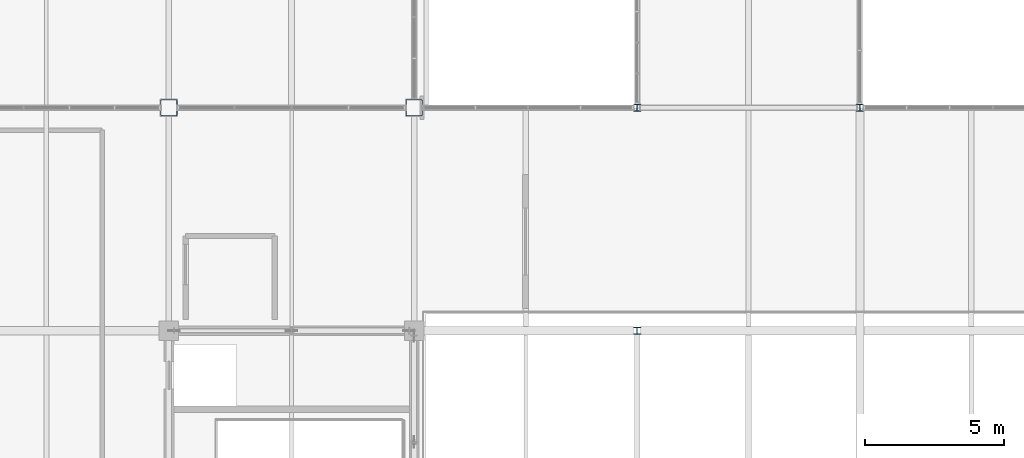
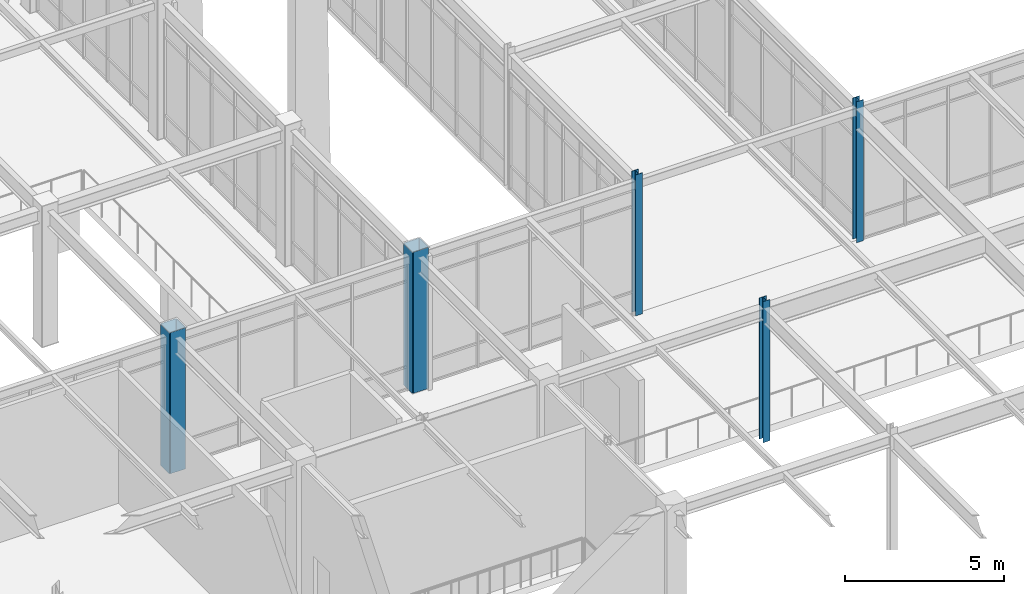
# One storey, part 4 of 184: 5 columns.
"""IFC4 building model written with IfcOpenShell, lengths in metres."""

import ifcopenshell
import ifcopenshell.guid

model = None  # the IFC model being written
_history = None  # IfcOwnerHistory: only IFC2X3 demands one
_inside = {}  # id of a spatial element -> (the spatial element, [elements in it])
_under = {}  # id of a project, library or spatial element -> (it, [spatial elements below it])
_declared = {}  # id of a project -> (the project, [libraries it declares])
_typed = {}  # id of a type object -> (the type object, [elements of that type])
_made_of = {}  # id of a material, layer set ... -> (it, [elements and type objects made of it])


def new_model(schema):
    """Start an empty IFC model of exactly this schema.

    Asked for "IFC4X3", IfcOpenShell would pick the latest addendum, in which some entities
    have other attributes; the version numbers below select the first issue.
    IFC2X3 requires an IfcOwnerHistory on every rooted entity: one is made here for all.
    """
    global model, _history
    if schema == "IFC4X3":
        model = ifcopenshell.file(schema_version=(4, 3, 0, 0))
    else:
        model = ifcopenshell.file(schema=schema)
    _inside.clear()
    _under.clear()
    _declared.clear()
    _typed.clear()
    _made_of.clear()
    _history = None
    if model.schema == "IFC2X3":
        org = make("IfcOrganization", Name="unknown")
        user = make(
            "IfcPersonAndOrganization",
            ThePerson=make("IfcPerson", FamilyName="unknown"),
            TheOrganization=org,
        )
        app = make(
            "IfcApplication",
            ApplicationDeveloper=org,
            Version="unknown",
            ApplicationFullName="unknown",
            ApplicationIdentifier="unknown",
        )
        _history = make(
            "IfcOwnerHistory",
            OwningUser=user,
            OwningApplication=app,
            ChangeAction="ADDED",
            CreationDate=0,
        )
    return model


def make(cls, **values):
    """One entity of the class cls with the attributes given. An attribute that is None is left unset."""
    return model.create_entity(
        cls, **{name: value for name, value in values.items() if value is not None}
    )


def rooted(cls, **values):
    """An entity with a GlobalId (a new one), such as an element, a storey or a relation."""
    return make(cls, GlobalId=ifcopenshell.guid.new(), OwnerHistory=_history, **values)


def si_unit(unit_type, name, prefix=None):
    """IfcSIUnit, for example si_unit("LENGTHUNIT", "METRE", prefix="MILLI")."""
    return make("IfcSIUnit", UnitType=unit_type, Prefix=prefix, Name=name)


def assignment(units):
    """IfcUnitAssignment: the units of a project."""
    return None if units is None else make("IfcUnitAssignment", Units=units)


def point(xyz):
    """IfcCartesianPoint."""
    return None if xyz is None else make("IfcCartesianPoint", Coordinates=xyz)


def direction(xyz):
    """IfcDirection."""
    return None if xyz is None else make("IfcDirection", DirectionRatios=xyz)


def frame(location, z_axis=None, x_axis=None):
    """IfcAxis2Placement3D, a coordinate frame: its origin and axes. An axis left out is left unset."""
    return make(
        "IfcAxis2Placement3D",
        Location=point(location),
        Axis=direction(z_axis),
        RefDirection=direction(x_axis),
    )


def frame_2d(location, x_axis=None):
    """IfcAxis2Placement2D, a coordinate frame in the plane: its origin and x axis."""
    return make(
        "IfcAxis2Placement2D", Location=point(location), RefDirection=direction(x_axis)
    )


def origin():
    """The frame at (0, 0, 0) with its axes left unset."""
    return frame((0.0, 0.0, 0.0))


def origin_2d():
    """The frame at (0, 0) in the plane with its x axis left unset."""
    return frame_2d((0.0, 0.0))


def place(relative_to, where):
    """IfcLocalPlacement: puts the frame where relative to a parent placement (None: the world)."""
    return make(
        "IfcLocalPlacement", PlacementRelTo=relative_to, RelativePlacement=where
    )


def context(
    kind, dimensions, precision=None, world=None, true_north=None, identifier=None
):
    """IfcGeometricRepresentationContext, for example the 3D "Model" context."""
    return make(
        "IfcGeometricRepresentationContext",
        ContextIdentifier=identifier,
        ContextType=kind,
        CoordinateSpaceDimension=dimensions,
        Precision=precision,
        WorldCoordinateSystem=world,
        TrueNorth=true_north,
    )


def subcontext(parent, identifier, kind, view, scale=None):
    """IfcGeometricRepresentationSubContext, for example "Body" below "Model"."""
    return make(
        "IfcGeometricRepresentationSubContext",
        ContextIdentifier=identifier,
        ContextType=kind,
        ParentContext=parent,
        TargetScale=scale,
        TargetView=view,
    )


def project(units=None, contexts=None):
    """IfcProject with its units and contexts."""
    return rooted(
        "IfcProject",
        Name="project",
        RepresentationContexts=contexts,
        UnitsInContext=assignment(units),
    )


def spatial(cls, under=None, at=None, **own):
    """A site, building, storey or space (cls), placed at a placement, below another one or the project."""
    s = rooted(cls, ObjectPlacement=at, **own)
    if under is not None:
        _under.setdefault(under.id(), (under, []))[1].append(s)
    return s


def profile(cls, at=None, kind="AREA", **sizes):
    """A parametric profile (cls). Its sizes go by their IFC names, for example OverallWidth=200.0."""
    return make(cls, ProfileType=kind, Position=at, **sizes)


def hollow_rectangle(**sizes):
    """IfcRectangleHollowProfileDef."""
    return profile("IfcRectangleHollowProfileDef", **sizes)


def i_section(**sizes):
    """IfcIShapeProfileDef."""
    return profile("IfcIShapeProfileDef", **sizes)


def extrude(swept, where, along, depth):
    """IfcExtrudedAreaSolid: the profile swept, set in the frame where, extruded along a direction by depth."""
    return make(
        "IfcExtrudedAreaSolid",
        SweptArea=swept,
        Position=where,
        ExtrudedDirection=direction(along),
        Depth=depth,
    )


def shape(context_of_items, identifier, shape_type, items):
    """IfcShapeRepresentation: the items that make up one representation, for example the "Body"."""
    return make(
        "IfcShapeRepresentation",
        ContextOfItems=context_of_items,
        RepresentationIdentifier=identifier,
        RepresentationType=shape_type,
        Items=items,
    )


def material(Name=None, Category=None):
    """IfcMaterial."""
    return make("IfcMaterial", Name=Name, Category=Category)


def material_profile(
    of_material, cross_section, Name=None, Category=None, Priority=None
):
    """IfcMaterialProfile: a cross section and its material."""
    return make(
        "IfcMaterialProfile",
        Name=Name,
        Material=of_material,
        Profile=cross_section,
        Priority=Priority,
        Category=Category,
    )


def profile_set(profiles, Name=None, composite=None):
    """IfcMaterialProfileSet."""
    return make(
        "IfcMaterialProfileSet",
        Name=Name,
        MaterialProfiles=profiles,
        CompositeProfile=composite,
    )


def made_of(thing, what):
    """Note that an element or type object is made of a material, layer set ...; save() writes the relation."""
    if what is not None:
        _made_of.setdefault(what.id(), (what, []))[1].append(thing)
    return thing


def type_object(cls, material=None, **own):
    """A type object (cls), such as IfcWallType, which elements share."""
    return made_of(rooted(cls, **own), material)


def element(
    cls,
    number,
    at=None,
    inside=None,
    cuts=None,
    type_object=None,
    material=None,
    context=None,
    identifier="Body",
    shape_type=None,
    held_by="IfcProductDefinitionShape",
    body=None,
    shapes=None,
    **own,
):
    """One element of the class cls, such as IfcWall. Its Tag is "e" and its number.

    at: its placement. inside: the storey or other place that contains it. cuts: it is an
    opening in that element (IfcRelVoidsElement). A single representation is given by context,
    identifier, shape_type and body (its items); several are given by shapes. held_by: the class
    of the entity that holds the representations. save() writes the other relations.
    """
    e = rooted(cls, Tag="e%d" % number, ObjectPlacement=at, **own)
    if body is not None:
        shapes = [shape(context, identifier, shape_type, body)]
    if shapes is not None:
        e.Representation = make(held_by, Representations=shapes)
    if inside is not None:
        _inside.setdefault(inside.id(), (inside, []))[1].append(e)
    if cuts is not None:
        rooted(
            "IfcRelVoidsElement", RelatingBuildingElement=cuts, RelatedOpeningElement=e
        )
    if type_object is not None:
        _typed.setdefault(type_object.id(), (type_object, []))[1].append(e)
    return made_of(e, material)


def aggregate(whole, parts):
    """IfcRelAggregates: a whole, such as a stair, and the parts it consists of."""
    return rooted("IfcRelAggregates", RelatingObject=whole, RelatedObjects=parts)


def save(model, path):
    """Write the relations noted so far, then the file.

    IfcRelAggregates (storeys below a building ...), IfcRelContainedInSpatialStructure (elements
    in a storey), IfcRelDefinesByType, IfcRelAssociatesMaterial and IfcRelDeclares: one each for
    every whole, place, type object, material and project.
    """
    for whole, parts in _under.values():
        aggregate(whole, parts)
    for where, things in _inside.values():
        rooted(
            "IfcRelContainedInSpatialStructure",
            RelatedElements=things,
            RelatingStructure=where,
        )
    for kind, things in _typed.values():
        rooted("IfcRelDefinesByType", RelatedObjects=things, RelatingType=kind)
    for what, things in _made_of.values():
        rooted("IfcRelAssociatesMaterial", RelatedObjects=things, RelatingMaterial=what)
    for by, libraries in _declared.values():
        rooted("IfcRelDeclares", RelatingContext=by, RelatedDefinitions=libraries)
    model.write(path)


model = new_model("IFC4")

# Units and contexts
model_context = context("Model", 3, precision=1e-05, world=origin(), true_north=direction((0.0, 1.0)))
body_context = subcontext(model_context, "Body", "Model", "MODEL_VIEW")
ifc_project = project(units=[si_unit("LENGTHUNIT", "METRE"), si_unit("AREAUNIT", "SQUARE_METRE"), si_unit("VOLUMEUNIT", "CUBIC_METRE"), si_unit("PLANEANGLEUNIT", "RADIAN"), si_unit("MASSUNIT", "GRAM", prefix="KILO")], contexts=[model_context])

# Site, building, storey
site_placement = place(None, origin())
site = spatial("IfcSite", under=ifc_project, at=site_placement, CompositionType="ELEMENT")
building_placement = place(site_placement, origin())
building = spatial("IfcBuilding", under=site, at=building_placement, Name="Zhaolan Boulevard Law Courts", CompositionType="ELEMENT")
storey_placement = place(building_placement, frame((0.0, 0.0, 5.39990234375)))
storey = spatial("IfcBuildingStorey", under=building, at=storey_placement, Name="L01", CompositionType="ELEMENT", Elevation=5.39990234375)

# Columns
ifc_material_1 = material(Name="Structural steel Q390B", Category="steel")
ifc_material_profile_1 = material_profile(ifc_material_1, hollow_rectangle(XDim=0.60009765625, YDim=0.60009765625, WallThickness=0.02392578125, InnerFilletRadius=0.02392578125, OuterFilletRadius=0.048095703125, at=origin_2d()), Name="BOX600x600x24")
ifc_profile_set_1 = profile_set([ifc_material_profile_1], Name="Structural steel Q390B")
column_type_1 = type_object("IfcColumnType", Name="COL BOX600", PredefinedType="COLUMN", material=ifc_profile_set_1)
for number, where, z_axis, x_axis, name in (
    (1, (35.199951171875, 30.0, 0.0), (0.0, 0.0, 1.0), (1.0, 0.0, 0.0), "Column C-5E (L01)"),
    (2, (44.0, 30.0, 0.0), (0.0, 0.0, 1.0), (1.0, 0.0, 0.0), "Column C-6E (L01)"),
):
    element("IfcColumn", number, at=place(storey_placement, frame(where, z_axis=z_axis, x_axis=x_axis)), inside=storey, type_object=column_type_1, Name=name, PredefinedType="COLUMN", context=body_context, shape_type="SweptSolid", body=[
        extrude(hollow_rectangle(XDim=0.60009765625, YDim=0.60009765625, WallThickness=0.02392578125, InnerFilletRadius=0.02392578125, OuterFilletRadius=0.048095703125, at=origin_2d()), origin(), (0.0, 0.0, 1.0), 5.400146484375),
    ])
ifc_material_2 = material(Name="Structural steel Q355B", Category="steel")
ifc_material_profile_2 = material_profile(ifc_material_2, i_section(OverallWidth=0.25, OverallDepth=0.25, WebThickness=0.009033203125, FlangeThickness=0.013916015625, FilletRadius=0.01611328125, at=origin_2d()), Name="HW250x250")
ifc_profile_set_2 = profile_set([ifc_material_profile_2], Name="Structural steel Q355B")
column_type_2 = type_object("IfcColumnType", Name="COL HW250", PredefinedType="COLUMN", material=ifc_profile_set_2)
for number, where, z_axis, x_axis, name in (
    (3, (52.0, 22.0, 0.0), (0.0, 0.0, 1.0), (1.0, 0.0, 0.0), "Column C-7D (L01)"),
    (4, (52.0, 30.0, 0.0), (0.0, 0.0, 1.0), (1.0, 0.0, 0.0), "Column C-7E (L01)"),
    (5, (60.0, 30.0, 0.0), (0.0, 0.0, 1.0), (1.0, 0.0, 0.0), "Column C-8E (L01)"),
):
    element("IfcColumn", number, at=place(storey_placement, frame(where, z_axis=z_axis, x_axis=x_axis)), inside=storey, type_object=column_type_2, Name=name, PredefinedType="COLUMN", context=body_context, shape_type="SweptSolid", body=[
        extrude(i_section(OverallWidth=0.25, OverallDepth=0.25, WebThickness=0.009033203125, FlangeThickness=0.013916015625, FilletRadius=0.01611328125, at=origin_2d()), origin(), (0.0, 0.0, 1.0), 5.400146484375),
    ])

save(model, "model.ifc")
